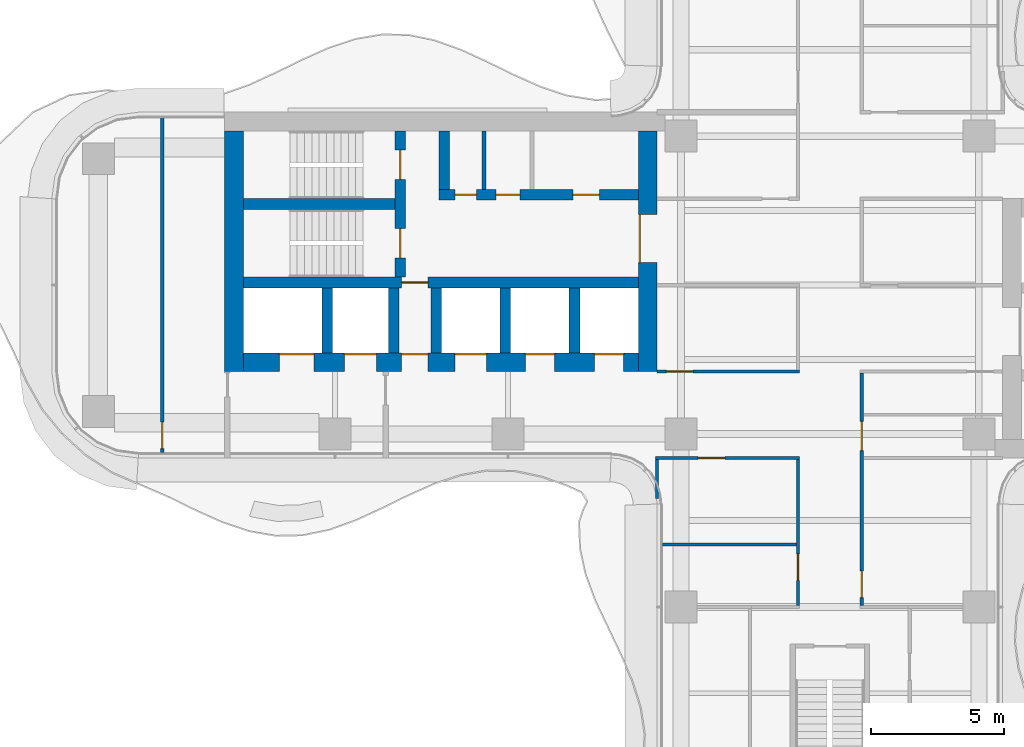
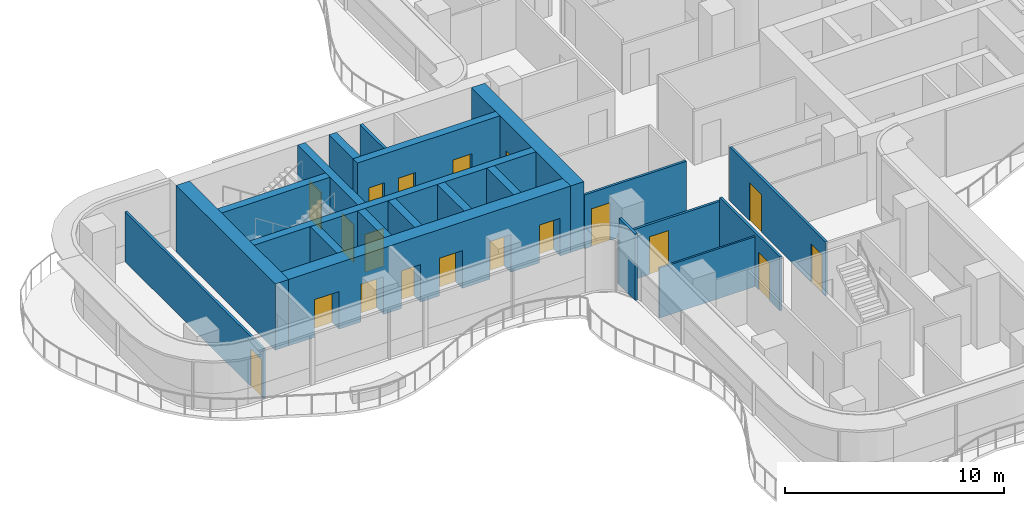
# One storey, part 12 of 17: 21 walls, 19 doors, 19 openings.
"""IFC4 building model written with IfcOpenShell, lengths in metres."""

import ifcopenshell
import ifcopenshell.guid

model = None  # the IFC model being written
_history = None  # IfcOwnerHistory: only IFC2X3 demands one
_inside = {}  # id of a spatial element -> (the spatial element, [elements in it])
_under = {}  # id of a project, library or spatial element -> (it, [spatial elements below it])
_declared = {}  # id of a project -> (the project, [libraries it declares])
_typed = {}  # id of a type object -> (the type object, [elements of that type])
_made_of = {}  # id of a material, layer set ... -> (it, [elements and type objects made of it])


def new_model(schema):
    """Start an empty IFC model of exactly this schema.

    Asked for "IFC4X3", IfcOpenShell would pick the latest addendum, in which some entities
    have other attributes; the version numbers below select the first issue.
    IFC2X3 requires an IfcOwnerHistory on every rooted entity: one is made here for all.
    """
    global model, _history
    if schema == "IFC4X3":
        model = ifcopenshell.file(schema_version=(4, 3, 0, 0))
    else:
        model = ifcopenshell.file(schema=schema)
    _inside.clear()
    _under.clear()
    _declared.clear()
    _typed.clear()
    _made_of.clear()
    _history = None
    if model.schema == "IFC2X3":
        org = make("IfcOrganization", Name="unknown")
        user = make(
            "IfcPersonAndOrganization",
            ThePerson=make("IfcPerson", FamilyName="unknown"),
            TheOrganization=org,
        )
        app = make(
            "IfcApplication",
            ApplicationDeveloper=org,
            Version="unknown",
            ApplicationFullName="unknown",
            ApplicationIdentifier="unknown",
        )
        _history = make(
            "IfcOwnerHistory",
            OwningUser=user,
            OwningApplication=app,
            ChangeAction="ADDED",
            CreationDate=0,
        )
    return model


def make(cls, **values):
    """One entity of the class cls with the attributes given. An attribute that is None is left unset."""
    return model.create_entity(
        cls, **{name: value for name, value in values.items() if value is not None}
    )


def rooted(cls, **values):
    """An entity with a GlobalId (a new one), such as an element, a storey or a relation."""
    return make(cls, GlobalId=ifcopenshell.guid.new(), OwnerHistory=_history, **values)


def si_unit(unit_type, name, prefix=None):
    """IfcSIUnit, for example si_unit("LENGTHUNIT", "METRE", prefix="MILLI")."""
    return make("IfcSIUnit", UnitType=unit_type, Prefix=prefix, Name=name)


def assignment(units):
    """IfcUnitAssignment: the units of a project."""
    return None if units is None else make("IfcUnitAssignment", Units=units)


def point(xyz):
    """IfcCartesianPoint."""
    return None if xyz is None else make("IfcCartesianPoint", Coordinates=xyz)


def direction(xyz):
    """IfcDirection."""
    return None if xyz is None else make("IfcDirection", DirectionRatios=xyz)


def frame(location, z_axis=None, x_axis=None):
    """IfcAxis2Placement3D, a coordinate frame: its origin and axes. An axis left out is left unset."""
    return make(
        "IfcAxis2Placement3D",
        Location=point(location),
        Axis=direction(z_axis),
        RefDirection=direction(x_axis),
    )


def frame_2d(location, x_axis=None):
    """IfcAxis2Placement2D, a coordinate frame in the plane: its origin and x axis."""
    return make(
        "IfcAxis2Placement2D", Location=point(location), RefDirection=direction(x_axis)
    )


def origin():
    """The frame at (0, 0, 0) with its axes left unset."""
    return frame((0.0, 0.0, 0.0))


def place(relative_to, where):
    """IfcLocalPlacement: puts the frame where relative to a parent placement (None: the world)."""
    return make(
        "IfcLocalPlacement", PlacementRelTo=relative_to, RelativePlacement=where
    )


def context(
    kind, dimensions, precision=None, world=None, true_north=None, identifier=None
):
    """IfcGeometricRepresentationContext, for example the 3D "Model" context."""
    return make(
        "IfcGeometricRepresentationContext",
        ContextIdentifier=identifier,
        ContextType=kind,
        CoordinateSpaceDimension=dimensions,
        Precision=precision,
        WorldCoordinateSystem=world,
        TrueNorth=true_north,
    )


def subcontext(parent, identifier, kind, view, scale=None):
    """IfcGeometricRepresentationSubContext, for example "Body" below "Model"."""
    return make(
        "IfcGeometricRepresentationSubContext",
        ContextIdentifier=identifier,
        ContextType=kind,
        ParentContext=parent,
        TargetScale=scale,
        TargetView=view,
    )


def project(units=None, contexts=None):
    """IfcProject with its units and contexts."""
    return rooted(
        "IfcProject",
        Name="project",
        RepresentationContexts=contexts,
        UnitsInContext=assignment(units),
    )


def spatial(cls, under=None, at=None, **own):
    """A site, building, storey or space (cls), placed at a placement, below another one or the project."""
    s = rooted(cls, ObjectPlacement=at, **own)
    if under is not None:
        _under.setdefault(under.id(), (under, []))[1].append(s)
    return s


def profile(cls, at=None, kind="AREA", **sizes):
    """A parametric profile (cls). Its sizes go by their IFC names, for example OverallWidth=200.0."""
    return make(cls, ProfileType=kind, Position=at, **sizes)


def rectangle(**sizes):
    """IfcRectangleProfileDef."""
    return profile("IfcRectangleProfileDef", **sizes)


def extrude(swept, where, along, depth):
    """IfcExtrudedAreaSolid: the profile swept, set in the frame where, extruded along a direction by depth."""
    return make(
        "IfcExtrudedAreaSolid",
        SweptArea=swept,
        Position=where,
        ExtrudedDirection=direction(along),
        Depth=depth,
    )


def shape(context_of_items, identifier, shape_type, items):
    """IfcShapeRepresentation: the items that make up one representation, for example the "Body"."""
    return make(
        "IfcShapeRepresentation",
        ContextOfItems=context_of_items,
        RepresentationIdentifier=identifier,
        RepresentationType=shape_type,
        Items=items,
    )


def source(mapping_origin, context_of_items, identifier, shape_type, items):
    """IfcRepresentationMap: a shape defined once, which mapped items show again and again."""
    return make(
        "IfcRepresentationMap",
        MappingOrigin=mapping_origin,
        MappedRepresentation=shape(context_of_items, identifier, shape_type, items),
    )


def transform(
    local_origin,
    x_axis=None,
    y_axis=None,
    z_axis=None,
    scale=None,
    scale2=None,
    scale3=None,
    uniform=True,
):
    """IfcCartesianTransformationOperator3D, or its non-uniform kind. x_axis, y_axis, z_axis: its Axis1, 2, 3."""
    if uniform:
        return make(
            "IfcCartesianTransformationOperator3D",
            Axis1=direction(x_axis),
            Axis2=direction(y_axis),
            LocalOrigin=point(local_origin),
            Scale=scale,
            Axis3=direction(z_axis),
        )
    return make(
        "IfcCartesianTransformationOperator3DnonUniform",
        Axis1=direction(x_axis),
        Axis2=direction(y_axis),
        LocalOrigin=point(local_origin),
        Scale=scale,
        Axis3=direction(z_axis),
        Scale2=scale2,
        Scale3=scale3,
    )


def mapped(mapping_source, mapping_target):
    """IfcMappedItem: shows the shape of a source again, moved by a transform."""
    return make(
        "IfcMappedItem", MappingSource=mapping_source, MappingTarget=mapping_target
    )


def material(Name=None, Category=None):
    """IfcMaterial."""
    return make("IfcMaterial", Name=Name, Category=Category)


def layer(
    of_material, thickness, ventilated=None, Name=None, Category=None, Priority=None
):
    """IfcMaterialLayer: one layer of a wall or slab, of a material (None: an air gap)."""
    return make(
        "IfcMaterialLayer",
        Material=of_material,
        LayerThickness=thickness,
        IsVentilated=ventilated,
        Name=Name,
        Category=Category,
        Priority=Priority,
    )


def layer_set(layers, Name=None):
    """IfcMaterialLayerSet."""
    return make("IfcMaterialLayerSet", MaterialLayers=layers, LayerSetName=Name)


def made_of(thing, what):
    """Note that an element or type object is made of a material, layer set ...; save() writes the relation."""
    if what is not None:
        _made_of.setdefault(what.id(), (what, []))[1].append(thing)
    return thing


def type_object(cls, material=None, **own):
    """A type object (cls), such as IfcWallType, which elements share."""
    return made_of(rooted(cls, **own), material)


def element(
    cls,
    number,
    at=None,
    inside=None,
    cuts=None,
    type_object=None,
    material=None,
    context=None,
    identifier="Body",
    shape_type=None,
    held_by="IfcProductDefinitionShape",
    body=None,
    shapes=None,
    **own,
):
    """One element of the class cls, such as IfcWall. Its Tag is "e" and its number.

    at: its placement. inside: the storey or other place that contains it. cuts: it is an
    opening in that element (IfcRelVoidsElement). A single representation is given by context,
    identifier, shape_type and body (its items); several are given by shapes. held_by: the class
    of the entity that holds the representations. save() writes the other relations.
    """
    e = rooted(cls, Tag="e%d" % number, ObjectPlacement=at, **own)
    if body is not None:
        shapes = [shape(context, identifier, shape_type, body)]
    if shapes is not None:
        e.Representation = make(held_by, Representations=shapes)
    if inside is not None:
        _inside.setdefault(inside.id(), (inside, []))[1].append(e)
    if cuts is not None:
        rooted(
            "IfcRelVoidsElement", RelatingBuildingElement=cuts, RelatedOpeningElement=e
        )
    if type_object is not None:
        _typed.setdefault(type_object.id(), (type_object, []))[1].append(e)
    return made_of(e, material)


def fill(opening, filler):
    """IfcRelFillsElement: the door or window that sits in an opening."""
    return rooted(
        "IfcRelFillsElement",
        RelatingOpeningElement=opening,
        RelatedBuildingElement=filler,
    )


def aggregate(whole, parts):
    """IfcRelAggregates: a whole, such as a stair, and the parts it consists of."""
    return rooted("IfcRelAggregates", RelatingObject=whole, RelatedObjects=parts)


def save(model, path):
    """Write the relations noted so far, then the file.

    IfcRelAggregates (storeys below a building ...), IfcRelContainedInSpatialStructure (elements
    in a storey), IfcRelDefinesByType, IfcRelAssociatesMaterial and IfcRelDeclares: one each for
    every whole, place, type object, material and project.
    """
    for whole, parts in _under.values():
        aggregate(whole, parts)
    for where, things in _inside.values():
        rooted(
            "IfcRelContainedInSpatialStructure",
            RelatedElements=things,
            RelatingStructure=where,
        )
    for kind, things in _typed.values():
        rooted("IfcRelDefinesByType", RelatedObjects=things, RelatingType=kind)
    for what, things in _made_of.values():
        rooted("IfcRelAssociatesMaterial", RelatedObjects=things, RelatingMaterial=what)
    for by, libraries in _declared.values():
        rooted("IfcRelDeclares", RelatingContext=by, RelatedDefinitions=libraries)
    model.write(path)


model = new_model("IFC4")

# Units and contexts
model_context = context("Model", 3, precision=1e-05, world=origin(), true_north=direction((0.0, 1.0)))
body_context = subcontext(model_context, "Body", "Model", "MODEL_VIEW")
ifc_project = project(units=[si_unit("LENGTHUNIT", "METRE"), si_unit("AREAUNIT", "SQUARE_METRE"), si_unit("VOLUMEUNIT", "CUBIC_METRE"), si_unit("PLANEANGLEUNIT", "RADIAN"), si_unit("MASSUNIT", "GRAM", prefix="KILO")], contexts=[model_context])

# Site, building, storey
site_placement = place(None, origin())
site = spatial("IfcSite", under=ifc_project, at=site_placement, CompositionType="ELEMENT")
building_placement = place(site_placement, origin())
building = spatial("IfcBuilding", under=site, at=building_placement, Name="Trellis Farm Tower", CompositionType="ELEMENT")
storey_placement = place(building_placement, frame((0.0, 0.0, 173.699951171875)))
storey = spatial("IfcBuildingStorey", under=building, at=storey_placement, Name="L37", CompositionType="ELEMENT", Elevation=173.699951171875)

# Wall, opening, door
ifc_material_1 = material(Name="Concrete C70/85", Category="concrete")
ifc_layer_1 = layer(ifc_material_1, 0.699951171875)
ifc_layer_set_1 = layer_set([ifc_layer_1], Name="CORE OUTER WALL 700 CONCRETE C70/85")
wall_type_1 = type_object("IfcWallType", Name="CORE OUTER WALL 700 CONCRETE C70/85", PredefinedType="SHEAR", material=ifc_layer_set_1)
shared_shape_1 = source(origin(), body_context, "Body", "SweptSolid", [
    extrude(rectangle(XDim=9.050048828125, YDim=0.699951171875, at=frame_2d((4.52490234375, 0.0))), origin(), (0.0, 0.0, 1.0), 3.699951171875),
])
wall_1_placement = place(storey_placement, frame((-6.85009765625, 5.800048828125, 0.0), z_axis=(0.0, 0.0, 1.0), x_axis=(0.0, -1.0, 0.0)))
wall_1 = element("IfcWall", 1, at=wall_1_placement, inside=storey, type_object=wall_type_1, Name="Core wall", PredefinedType="SHEAR", context=body_context, shape_type="MappedRepresentation", body=[
    mapped(shared_shape_1, transform((0.0, 0.0, 0.0))),
])
shared_shape_2 = source(origin(), body_context, "Body", "SweptSolid", [
    extrude(rectangle(XDim=1.800048828125, YDim=2.10009765625, at=frame_2d((0.89990234375, 1.050048828125))), frame((0.0, 0.360107421875, 0.0), z_axis=(0.0, -1.0, 0.0), x_axis=(1.0, 0.0, 0.0)), (0.0, 0.0, 1.0), 0.72021484375),
])
opening_1_placement = place(wall_1_placement, frame((3.14990234375, 0.0, 0.0)))
opening_1 = element("IfcOpeningElement", 2, at=opening_1_placement, cuts=wall_1, Name="Opening DC87", PredefinedType="OPENING", context=body_context, shape_type="MappedRepresentation", body=[
    mapped(shared_shape_2, transform((0.0, 0.0, 0.0))),
])
ifc_material_2 = material(Name="Steel", Category="steel")
door_type_1 = type_object("IfcDoorType", Name="CORE FIRE DOOR DOUBLE 1800 X 2100", OperationType="DOUBLE_DOOR_SINGLE_SWING", PredefinedType="DOOR", material=ifc_material_2)
shared_shape_3 = source(origin(), body_context, "Body", "SweptSolid", [
    extrude(rectangle(XDim=1.800048828125, YDim=2.10009765625, at=frame_2d((0.89990234375, 1.050048828125))), frame((0.0, -0.27490234375, 0.0), z_axis=(0.0, -1.0, 0.0), x_axis=(1.0, 0.0, 0.0)), (0.0, 0.0, 1.0), 0.050048828125),
])
door_1_placement = place(opening_1_placement, origin())
door_1 = element("IfcDoor", 3, at=door_1_placement, inside=storey, type_object=door_type_1, Name="Core door", OperationType="DOUBLE_DOOR_SINGLE_SWING", OverallHeight=2.10009765625, OverallWidth=1.800048828125, PredefinedType="DOOR", context=body_context, shape_type="MappedRepresentation", body=[
    mapped(shared_shape_3, transform((0.0, 0.0, 0.0))),
])
fill(opening_1, door_1)

# Walls
wall_2_placement = place(storey_placement, frame((-22.39990234375, 5.800048828125, 0.0), z_axis=(0.0, 0.0, 1.0), x_axis=(0.0, -1.0, 0.0)))
element("IfcWall", 4, at=wall_2_placement, inside=storey, type_object=wall_type_1, Name="Core wall", PredefinedType="SHEAR", context=body_context, shape_type="MappedRepresentation", body=[
    mapped(shared_shape_1, transform((0.0, 0.0, 0.0))),
])
ifc_layer_2 = layer(ifc_material_1, 0.39990234375)
ifc_layer_set_2 = layer_set([ifc_layer_2], Name="CORE INNER WALL 400 CONCRETE C70/85")
wall_type_2 = type_object("IfcWallType", Name="CORE INNER WALL 400 CONCRETE C70/85", PredefinedType="SHEAR", material=ifc_layer_set_2)
shared_shape_4 = source(origin(), body_context, "Body", "SweptSolid", [
    extrude(rectangle(XDim=2.449951171875, YDim=0.39990234375, at=frame_2d((1.22509765625, 0.0))), origin(), (0.0, 0.0, 1.0), 3.699951171875),
])
for number, where, z_axis, x_axis, name in (
    (5, (-9.60009765625, -0.10009765625, 0.0), (0.0, 0.0, 1.0), (0.0, -1.0, 0.0), "Core wall"),
    (6, (-12.199951171875, -0.10009765625, 0.0), (0.0, 0.0, 1.0), (0.0, -1.0, 0.0), "Core wall"),
    (7, (-14.800048828125, -0.10009765625, 0.0), (0.0, 0.0, 1.0), (0.0, -1.0, 0.0), "Core wall"),
    (8, (-16.39990234375, -0.10009765625, 0.0), (0.0, 0.0, 1.0), (0.0, -1.0, 0.0), "Core wall"),
    (9, (-18.89990234375, -0.10009765625, 0.0), (0.0, 0.0, 1.0), (0.0, -1.0, 0.0), "Core wall"),
):
    element("IfcWall", number, at=place(storey_placement, frame(where, z_axis=z_axis, x_axis=x_axis)), inside=storey, type_object=wall_type_2, Name=name, PredefinedType="SHEAR", context=body_context, shape_type="MappedRepresentation", body=[
        mapped(shared_shape_4, transform((0.0, 0.0, 0.0))),
    ])

# Wall, openings, doors
shared_shape_5 = source(origin(), body_context, "Body", "SweptSolid", [
    extrude(rectangle(XDim=14.85009765625, YDim=0.699951171875, at=frame_2d((7.425048828125, 0.0))), origin(), (0.0, 0.0, 1.0), 3.699951171875),
])
wall_3_placement = place(storey_placement, frame((-7.199951171875, -2.89990234375, 0.0), z_axis=(0.0, 0.0, 1.0), x_axis=(-1.0, 0.0, 0.0)))
wall_3 = element("IfcWall", 10, at=wall_3_placement, inside=storey, type_object=wall_type_1, Name="Core wall", PredefinedType="SHEAR", context=body_context, shape_type="MappedRepresentation", body=[
    mapped(shared_shape_5, transform((0.0, 0.0, 0.0))),
])
shared_shape_6 = source(origin(), body_context, "Body", "SweptSolid", [
    extrude(rectangle(XDim=1.10009765625, YDim=2.10009765625, at=frame_2d((0.550048828125, 1.050048828125))), frame((0.0, 0.360107421875, 0.0), z_axis=(0.0, -1.0, 0.0), x_axis=(1.0, 0.0, 0.0)), (0.0, 0.0, 1.0), 0.72021484375),
])
opening_2_placement = place(wall_3_placement, frame((0.550048828125, 0.0, 0.0)))
opening_2 = element("IfcOpeningElement", 11, at=opening_2_placement, cuts=wall_3, Name="Opening LD12", PredefinedType="OPENING", context=body_context, shape_type="MappedRepresentation", body=[
    mapped(shared_shape_6, transform((0.0, 0.0, 0.0))),
])
opening_3_placement = place(wall_3_placement, frame((3.14990234375, 0.0, 0.0)))
opening_3 = element("IfcOpeningElement", 12, at=opening_3_placement, cuts=wall_3, Name="Opening LD13", PredefinedType="OPENING", context=body_context, shape_type="MappedRepresentation", body=[
    mapped(shared_shape_6, transform((0.0, 0.0, 0.0))),
])
shared_shape_7 = source(origin(), body_context, "Body", "SweptSolid", [
    extrude(rectangle(XDim=1.199951171875, YDim=2.10009765625, at=frame_2d((0.60009765625, 1.050048828125))), frame((0.0, 0.360107421875, 0.0), z_axis=(0.0, -1.0, 0.0), x_axis=(1.0, 0.0, 0.0)), (0.0, 0.0, 1.0), 0.72021484375),
])
opening_4_placement = place(wall_3_placement, frame((5.699951171875, 0.0, 0.0)))
opening_4 = element("IfcOpeningElement", 13, at=opening_4_placement, cuts=wall_3, Name="Opening LD14", PredefinedType="OPENING", context=body_context, shape_type="MappedRepresentation", body=[
    mapped(shared_shape_7, transform((0.0, 0.0, 0.0))),
])
shared_shape_8 = source(origin(), body_context, "Body", "SweptSolid", [
    extrude(rectangle(XDim=1.300048828125, YDim=2.10009765625, at=frame_2d((0.64990234375, 1.050048828125))), frame((0.0, 0.360107421875, 0.0), z_axis=(0.0, -1.0, 0.0), x_axis=(1.0, 0.0, 0.0)), (0.0, 0.0, 1.0), 0.72021484375),
])
opening_5_placement = place(wall_3_placement, frame((12.199951171875, 0.0, 0.0)))
opening_5 = element("IfcOpeningElement", 14, at=opening_5_placement, cuts=wall_3, Name="Opening LD15", PredefinedType="OPENING", context=body_context, shape_type="MappedRepresentation", body=[
    mapped(shared_shape_8, transform((0.0, 0.0, 0.0))),
])
opening_6_placement = place(wall_3_placement, frame((9.85009765625, 0.0, 0.0)))
opening_6 = element("IfcOpeningElement", 15, at=opening_6_placement, cuts=wall_3, Name="Opening LD16", PredefinedType="OPENING", context=body_context, shape_type="MappedRepresentation", body=[
    mapped(shared_shape_7, transform((0.0, 0.0, 0.0))),
])
shared_shape_9 = source(origin(), body_context, "Body", "SweptSolid", [
    extrude(rectangle(XDim=1.0, YDim=2.10009765625, at=frame_2d((0.5, 1.050048828125))), frame((0.0, 0.360107421875, 0.0), z_axis=(0.0, -1.0, 0.0), x_axis=(1.0, 0.0, 0.0)), (0.0, 0.0, 1.0), 0.72021484375),
])
opening_7_placement = place(wall_3_placement, frame((7.89990234375, 0.0, 0.0)))
opening_7 = element("IfcOpeningElement", 16, at=opening_7_placement, cuts=wall_3, Name="Opening DC92", PredefinedType="OPENING", context=body_context, shape_type="MappedRepresentation", body=[
    mapped(shared_shape_9, transform((0.0, 0.0, 0.0))),
])
door_type_2 = type_object("IfcDoorType", Name="CORE FIRE DOOR 1000 X 2100", OperationType="NOTDEFINED", PredefinedType="DOOR", material=ifc_material_2)
shared_shape_10 = source(origin(), body_context, "Body", "SweptSolid", [
    extrude(rectangle(XDim=1.0, YDim=2.10009765625, at=frame_2d((0.5, 1.050048828125))), frame((0.0, -0.27490234375, 0.0), z_axis=(0.0, -1.0, 0.0), x_axis=(1.0, 0.0, 0.0)), (0.0, 0.0, 1.0), 0.050048828125),
])
door_2_placement = place(opening_7_placement, origin())
door_2 = element("IfcDoor", 17, at=door_2_placement, inside=storey, type_object=door_type_2, Name="Core door", OperationType="SINGLE_SWING_LEFT", OverallHeight=2.10009765625, OverallWidth=1.0, PredefinedType="DOOR", context=body_context, shape_type="MappedRepresentation", body=[
    mapped(shared_shape_10, transform((0.0, 0.0, 0.0))),
])
fill(opening_7, door_2)
ifc_material_3 = material(Name="Stainless steel", Category="steel")
door_type_3 = type_object("IfcDoorType", Name="LIFT LANDING DOOR 1300 X 2100", OperationType="DOUBLE_DOOR_SLIDING", PredefinedType="DOOR", material=ifc_material_3)
shared_shape_11 = source(origin(), body_context, "Body", "SweptSolid", [
    extrude(rectangle(XDim=1.300048828125, YDim=2.10009765625, at=frame_2d((0.64990234375, 1.050048828125))), frame((0.0, -0.27490234375, 0.0), z_axis=(0.0, -1.0, 0.0), x_axis=(1.0, 0.0, 0.0)), (0.0, 0.0, 1.0), 0.050048828125),
])
door_3_placement = place(opening_5_placement, origin())
door_3 = element("IfcDoor", 18, at=door_3_placement, inside=storey, type_object=door_type_3, Name="Lift landing door", OperationType="DOUBLE_DOOR_SLIDING", OverallHeight=2.10009765625, OverallWidth=1.300048828125, PredefinedType="DOOR", context=body_context, shape_type="MappedRepresentation", body=[
    mapped(shared_shape_11, transform((0.0, 0.0, 0.0))),
])
fill(opening_5, door_3)
door_type_4 = type_object("IfcDoorType", Name="LIFT LANDING DOOR 1200 X 2100", OperationType="DOUBLE_DOOR_SLIDING", PredefinedType="DOOR", material=ifc_material_3)
shared_shape_12 = source(origin(), body_context, "Body", "SweptSolid", [
    extrude(rectangle(XDim=1.199951171875, YDim=2.10009765625, at=frame_2d((0.60009765625, 1.050048828125))), frame((0.0, -0.27490234375, 0.0), z_axis=(0.0, -1.0, 0.0), x_axis=(1.0, 0.0, 0.0)), (0.0, 0.0, 1.0), 0.050048828125),
])
door_4_placement = place(opening_4_placement, origin())
door_4 = element("IfcDoor", 19, at=door_4_placement, inside=storey, type_object=door_type_4, Name="Lift landing door", OperationType="DOUBLE_DOOR_SLIDING", OverallHeight=2.10009765625, OverallWidth=1.199951171875, PredefinedType="DOOR", context=body_context, shape_type="MappedRepresentation", body=[
    mapped(shared_shape_12, transform((0.0, 0.0, 0.0))),
])
fill(opening_4, door_4)
door_5_placement = place(opening_6_placement, origin())
door_5 = element("IfcDoor", 20, at=door_5_placement, inside=storey, type_object=door_type_4, Name="Lift landing door", OperationType="DOUBLE_DOOR_SLIDING", OverallHeight=2.10009765625, OverallWidth=1.199951171875, PredefinedType="DOOR", context=body_context, shape_type="MappedRepresentation", body=[
    mapped(shared_shape_12, transform((0.0, 0.0, 0.0))),
])
fill(opening_6, door_5)
door_type_5 = type_object("IfcDoorType", Name="LIFT LANDING DOOR 1100 X 2100", OperationType="DOUBLE_DOOR_SLIDING", PredefinedType="DOOR", material=ifc_material_3)
shared_shape_13 = source(origin(), body_context, "Body", "SweptSolid", [
    extrude(rectangle(XDim=1.10009765625, YDim=2.10009765625, at=frame_2d((0.550048828125, 1.050048828125))), frame((0.0, -0.27490234375, 0.0), z_axis=(0.0, -1.0, 0.0), x_axis=(1.0, 0.0, 0.0)), (0.0, 0.0, 1.0), 0.050048828125),
])
door_6_placement = place(opening_2_placement, origin())
door_6 = element("IfcDoor", 21, at=door_6_placement, inside=storey, type_object=door_type_5, Name="Lift landing door", OperationType="DOUBLE_DOOR_SLIDING", OverallHeight=2.10009765625, OverallWidth=1.10009765625, PredefinedType="DOOR", context=body_context, shape_type="MappedRepresentation", body=[
    mapped(shared_shape_13, transform((0.0, 0.0, 0.0))),
])
fill(opening_2, door_6)
door_7_placement = place(opening_3_placement, origin())
door_7 = element("IfcDoor", 22, at=door_7_placement, inside=storey, type_object=door_type_5, Name="Lift landing door", OperationType="DOUBLE_DOOR_SLIDING", OverallHeight=2.10009765625, OverallWidth=1.10009765625, PredefinedType="DOOR", context=body_context, shape_type="MappedRepresentation", body=[
    mapped(shared_shape_13, transform((0.0, 0.0, 0.0))),
])
fill(opening_3, door_7)

shared_shape_14 = source(origin(), body_context, "Body", "SweptSolid", [
    extrude(rectangle(XDim=7.5, YDim=0.39990234375, at=frame_2d((3.75, 0.0))), origin(), (0.0, 0.0, 1.0), 3.699951171875),
])
wall_4_placement = place(storey_placement, frame((-7.199951171875, 3.39990234375, 0.0), z_axis=(0.0, 0.0, 1.0), x_axis=(-1.0, 0.0, 0.0)))
wall_4 = element("IfcWall", 23, at=wall_4_placement, inside=storey, type_object=wall_type_2, Name="Core wall", PredefinedType="SHEAR", context=body_context, shape_type="MappedRepresentation", body=[
    mapped(shared_shape_14, transform((0.0, 0.0, 0.0))),
])
shared_shape_15 = source(origin(), body_context, "Body", "SweptSolid", [
    extrude(rectangle(XDim=1.0, YDim=2.10009765625, at=frame_2d((0.5, 1.050048828125))), frame((0.0, 0.2099609375, 0.0), z_axis=(0.0, -1.0, 0.0), x_axis=(1.0, 0.0, 0.0)), (0.0, 0.0, 1.0), 0.419921875),
])
opening_8_placement = place(wall_4_placement, frame((1.46240234375, 0.0, 0.0)))
opening_8 = element("IfcOpeningElement", 24, at=opening_8_placement, cuts=wall_4, Name="Opening DC141", PredefinedType="OPENING", context=body_context, shape_type="MappedRepresentation", body=[
    mapped(shared_shape_15, transform((0.0, 0.0, 0.0))),
])
shared_shape_16 = source(origin(), body_context, "Body", "SweptSolid", [
    extrude(rectangle(XDim=0.89990234375, YDim=2.10009765625, at=frame_2d((0.449951171875, 1.050048828125))), frame((0.0, 0.2099609375, 0.0), z_axis=(0.0, -1.0, 0.0), x_axis=(1.0, 0.0, 0.0)), (0.0, 0.0, 1.0), 0.419921875),
])
opening_9_placement = place(wall_4_placement, frame((4.449951171875, 0.0, 0.0)))
opening_9 = element("IfcOpeningElement", 25, at=opening_9_placement, cuts=wall_4, Name="Opening DC146", PredefinedType="OPENING", context=body_context, shape_type="MappedRepresentation", body=[
    mapped(shared_shape_16, transform((0.0, 0.0, 0.0))),
])
shared_shape_17 = source(origin(), body_context, "Body", "SweptSolid", [
    extrude(rectangle(XDim=0.800048828125, YDim=2.10009765625, at=frame_2d((0.39990234375, 1.050048828125))), frame((0.0, 0.2099609375, 0.0), z_axis=(0.0, -1.0, 0.0), x_axis=(1.0, 0.0, 0.0)), (0.0, 0.0, 1.0), 0.419921875),
])
opening_10_placement = place(wall_4_placement, frame((6.08740234375, 0.0, 0.0)))
opening_10 = element("IfcOpeningElement", 26, at=opening_10_placement, cuts=wall_4, Name="Opening DC149", PredefinedType="OPENING", context=body_context, shape_type="MappedRepresentation", body=[
    mapped(shared_shape_17, transform((0.0, 0.0, 0.0))),
])
shared_shape_18 = source(origin(), body_context, "Body", "SweptSolid", [
    extrude(rectangle(XDim=1.0, YDim=2.10009765625, at=frame_2d((0.5, 1.050048828125))), frame((0.0, 0.02490234375, 0.0), z_axis=(0.0, -1.0, 0.0), x_axis=(1.0, 0.0, 0.0)), (0.0, 0.0, 1.0), 0.050048828125),
])
door_8_placement = place(opening_8_placement, origin())
door_8 = element("IfcDoor", 27, at=door_8_placement, inside=storey, type_object=door_type_2, Name="Core door", OperationType="SINGLE_SWING_LEFT", OverallHeight=2.10009765625, OverallWidth=1.0, PredefinedType="DOOR", context=body_context, shape_type="MappedRepresentation", body=[
    mapped(shared_shape_18, transform((0.0, 0.0, 0.0))),
])
fill(opening_8, door_8)
door_type_6 = type_object("IfcDoorType", Name="CORE FIRE DOOR 900 X 2100", OperationType="NOTDEFINED", PredefinedType="DOOR", material=ifc_material_2)
shared_shape_19 = source(origin(), body_context, "Body", "SweptSolid", [
    extrude(rectangle(XDim=0.89990234375, YDim=2.10009765625, at=frame_2d((0.449951171875, 1.050048828125))), frame((0.0, 0.02490234375, 0.0), z_axis=(0.0, -1.0, 0.0), x_axis=(1.0, 0.0, 0.0)), (0.0, 0.0, 1.0), 0.050048828125),
])
door_9_placement = place(opening_9_placement, origin())
door_9 = element("IfcDoor", 28, at=door_9_placement, inside=storey, type_object=door_type_6, Name="Core door", OperationType="SINGLE_SWING_RIGHT", OverallHeight=2.10009765625, OverallWidth=0.89990234375, PredefinedType="DOOR", context=body_context, shape_type="MappedRepresentation", body=[
    mapped(shared_shape_19, transform((0.0, 0.0, 0.0))),
])
fill(opening_9, door_9)
door_type_7 = type_object("IfcDoorType", Name="CORE FIRE DOOR 800 X 2100", OperationType="NOTDEFINED", PredefinedType="DOOR", material=ifc_material_2)
shared_shape_20 = source(origin(), body_context, "Body", "SweptSolid", [
    extrude(rectangle(XDim=0.800048828125, YDim=2.10009765625, at=frame_2d((0.39990234375, 1.050048828125))), frame((0.0, 0.02490234375, 0.0), z_axis=(0.0, -1.0, 0.0), x_axis=(1.0, 0.0, 0.0)), (0.0, 0.0, 1.0), 0.050048828125),
])
door_10_placement = place(opening_10_placement, origin())
door_10 = element("IfcDoor", 29, at=door_10_placement, inside=storey, type_object=door_type_7, Name="Core door", OperationType="SINGLE_SWING_LEFT", OverallHeight=2.10009765625, OverallWidth=0.800048828125, PredefinedType="DOOR", context=body_context, shape_type="MappedRepresentation", body=[
    mapped(shared_shape_20, transform((0.0, 0.0, 0.0))),
])
fill(opening_10, door_10)

# Wall, opening, door
shared_shape_21 = source(origin(), body_context, "Body", "SweptSolid", [
    extrude(rectangle(XDim=14.85009765625, YDim=0.39990234375, at=frame_2d((7.425048828125, 0.0))), origin(), (0.0, 0.0, 1.0), 3.699951171875),
])
wall_5_placement = place(storey_placement, frame((-7.199951171875, 0.10009765625, 0.0), z_axis=(0.0, 0.0, 1.0), x_axis=(-1.0, 0.0, 0.0)))
wall_5 = element("IfcWall", 30, at=wall_5_placement, inside=storey, type_object=wall_type_2, Name="Core wall", PredefinedType="SHEAR", context=body_context, shape_type="MappedRepresentation", body=[
    mapped(shared_shape_21, transform((0.0, 0.0, 0.0))),
])
opening_11_placement = place(wall_5_placement, frame((7.89990234375, 0.0, 0.0)))
opening_11 = element("IfcOpeningElement", 31, at=opening_11_placement, cuts=wall_5, Name="Opening DC91", PredefinedType="OPENING", context=body_context, shape_type="MappedRepresentation", body=[
    mapped(shared_shape_15, transform((0.0, 0.0, 0.0))),
])
door_11_placement = place(opening_11_placement, origin())
door_11 = element("IfcDoor", 32, at=door_11_placement, inside=storey, type_object=door_type_2, Name="Core door", OperationType="SINGLE_SWING_RIGHT", OverallHeight=2.10009765625, OverallWidth=1.0, PredefinedType="DOOR", context=body_context, shape_type="MappedRepresentation", body=[
    mapped(shared_shape_18, transform((0.0, 0.0, 0.0))),
])
fill(opening_11, door_11)

# Wall, openings, doors
shared_shape_22 = source(origin(), body_context, "Body", "SweptSolid", [
    extrude(rectangle(XDim=5.5, YDim=0.39990234375, at=frame_2d((2.75, 0.0))), origin(), (0.0, 0.0, 1.0), 3.699951171875),
])
wall_6_placement = place(storey_placement, frame((-16.14990234375, 5.800048828125, 0.0), z_axis=(0.0, 0.0, 1.0), x_axis=(0.0, -1.0, 0.0)))
wall_6 = element("IfcWall", 33, at=wall_6_placement, inside=storey, type_object=wall_type_2, Name="Core wall", PredefinedType="SHEAR", context=body_context, shape_type="MappedRepresentation", body=[
    mapped(shared_shape_22, transform((0.0, 0.0, 0.0))),
])
shared_shape_23 = source(origin(), body_context, "Body", "SweptSolid", [
    extrude(rectangle(XDim=1.10009765625, YDim=2.10009765625, at=frame_2d((0.550048828125, 1.050048828125))), frame((0.0, 0.2099609375, 0.0), z_axis=(0.0, -1.0, 0.0), x_axis=(1.0, 0.0, 0.0)), (0.0, 0.0, 1.0), 0.419921875),
])
opening_12_placement = place(wall_6_placement, frame((0.72509765625, 0.0, 0.0)))
opening_12 = element("IfcOpeningElement", 34, at=opening_12_placement, cuts=wall_6, Name="Opening DC88", PredefinedType="OPENING", context=body_context, shape_type="MappedRepresentation", body=[
    mapped(shared_shape_23, transform((0.0, 0.0, 0.0))),
])
opening_13_placement = place(wall_6_placement, frame((3.675048828125, 0.0, 0.0)))
opening_13 = element("IfcOpeningElement", 35, at=opening_13_placement, cuts=wall_6, Name="Opening DC89", PredefinedType="OPENING", context=body_context, shape_type="MappedRepresentation", body=[
    mapped(shared_shape_23, transform((0.0, 0.0, 0.0))),
])
door_type_8 = type_object("IfcDoorType", Name="CORE FIRE DOOR 1100 X 2100", OperationType="NOTDEFINED", PredefinedType="DOOR", material=ifc_material_2)
shared_shape_24 = source(origin(), body_context, "Body", "SweptSolid", [
    extrude(rectangle(XDim=1.10009765625, YDim=2.10009765625, at=frame_2d((0.550048828125, 1.050048828125))), frame((0.0, 0.02490234375, 0.0), z_axis=(0.0, -1.0, 0.0), x_axis=(1.0, 0.0, 0.0)), (0.0, 0.0, 1.0), 0.050048828125),
])
door_12_placement = place(opening_12_placement, origin())
door_12 = element("IfcDoor", 36, at=door_12_placement, inside=storey, type_object=door_type_8, Name="Core door", OperationType="SINGLE_SWING_RIGHT", OverallHeight=2.10009765625, OverallWidth=1.10009765625, PredefinedType="DOOR", context=body_context, shape_type="MappedRepresentation", body=[
    mapped(shared_shape_24, transform((0.0, 0.0, 0.0))),
])
fill(opening_12, door_12)
door_13_placement = place(opening_13_placement, origin())
door_13 = element("IfcDoor", 37, at=door_13_placement, inside=storey, type_object=door_type_8, Name="Core door", OperationType="SINGLE_SWING_LEFT", OverallHeight=2.10009765625, OverallWidth=1.10009765625, PredefinedType="DOOR", context=body_context, shape_type="MappedRepresentation", body=[
    mapped(shared_shape_24, transform((0.0, 0.0, 0.0))),
])
fill(opening_13, door_13)

# Walls
shared_shape_25 = source(origin(), body_context, "Body", "SweptSolid", [
    extrude(rectangle(XDim=5.699951171875, YDim=0.39990234375, at=frame_2d((2.85009765625, 0.0))), origin(), (0.0, 0.0, 1.0), 3.699951171875),
])
wall_7_placement = place(storey_placement, frame((-16.35009765625, 3.050048828125, 0.0), z_axis=(0.0, 0.0, 1.0), x_axis=(-1.0, 0.0, 0.0)))
element("IfcWall", 38, at=wall_7_placement, inside=storey, type_object=wall_type_2, Name="Core wall", PredefinedType="SHEAR", context=body_context, shape_type="MappedRepresentation", body=[
    mapped(shared_shape_25, transform((0.0, 0.0, 0.0))),
])
shared_shape_26 = source(origin(), body_context, "Body", "SweptSolid", [
    extrude(rectangle(XDim=2.199951171875, YDim=0.39990234375, at=frame_2d((1.10009765625, 0.0))), origin(), (0.0, 0.0, 1.0), 3.699951171875),
])
wall_8_placement = place(storey_placement, frame((-14.5, 5.800048828125, 0.0), z_axis=(0.0, 0.0, 1.0), x_axis=(0.0, -1.0, 0.0)))
element("IfcWall", 39, at=wall_8_placement, inside=storey, type_object=wall_type_2, Name="Core wall", PredefinedType="SHEAR", context=body_context, shape_type="MappedRepresentation", body=[
    mapped(shared_shape_26, transform((0.0, 0.0, 0.0))),
])
ifc_material_4 = material(Name="Masonry blockwork", Category="masonry")
ifc_layer_3 = layer(ifc_material_4, 0.14990234375)
ifc_layer_set_3 = layer_set([ifc_layer_3], Name="CORE PARTITION 150 BLOCKWORK")
wall_type_3 = type_object("IfcWallType", Name="CORE PARTITION 150 BLOCKWORK", PredefinedType="PARTITIONING", material=ifc_layer_set_3)
shared_shape_27 = source(origin(), body_context, "Body", "SweptSolid", [
    extrude(rectangle(XDim=2.199951171875, YDim=0.14990234375, at=frame_2d((1.10009765625, 0.0))), origin(), (0.0, 0.0, 1.0), 3.699951171875),
])
wall_9_placement = place(storey_placement, frame((-13.0, 5.800048828125, 0.0), z_axis=(0.0, 0.0, 1.0), x_axis=(0.0, -1.0, 0.0)))
element("IfcWall", 40, at=wall_9_placement, inside=storey, type_object=wall_type_3, Name="Core room partition", PredefinedType="PARTITIONING", context=body_context, shape_type="MappedRepresentation", body=[
    mapped(shared_shape_27, transform((0.0, 0.0, 0.0))),
])

# Wall, opening, door
ifc_material_5 = material(Name="Plasterboard on steel studs, mineral wool", Category="steel")
ifc_layer_4 = layer(ifc_material_5, 0.125)
ifc_layer_set_4 = layer_set([ifc_layer_4], Name="PARTITION 125 STUD EI 60")
wall_type_4 = type_object("IfcWallType", Name="PARTITION 125 STUD EI 60", PredefinedType="PARTITIONING", material=ifc_layer_set_4)
shared_shape_28 = source(origin(), body_context, "Body", "SweptSolid", [
    extrude(rectangle(XDim=5.47509765625, YDim=0.125, at=frame_2d((2.737548828125, 0.0))), origin(), (0.0, 0.0, 1.0), 2.99658203125),
])
wall_10_placement = place(storey_placement, frame((-1.199951171875, -6.5625, 0.0), z_axis=(0.0, 0.0, 1.0), x_axis=(0.0, -1.0, 0.0)))
wall_10 = element("IfcWall", 41, at=wall_10_placement, inside=storey, type_object=wall_type_4, Name="Partition PW1", PredefinedType="PARTITIONING", context=body_context, shape_type="MappedRepresentation", body=[
    mapped(shared_shape_28, transform((0.0, 0.0, 0.0))),
])
shared_shape_29 = source(origin(), body_context, "Body", "SweptSolid", [
    extrude(rectangle(XDim=1.0, YDim=2.10009765625, at=frame_2d((0.5, 1.050048828125))), frame((0.0, 0.072509765625, 0.0), z_axis=(0.0, -1.0, 0.0), x_axis=(1.0, 0.0, 0.0)), (0.0, 0.0, 1.0), 0.14501953125),
])
opening_14_placement = place(wall_10_placement, frame((3.53759765625, 0.0, 0.0)))
opening_14 = element("IfcOpeningElement", 42, at=opening_14_placement, cuts=wall_10, Name="Opening D105", PredefinedType="OPENING", context=body_context, shape_type="MappedRepresentation", body=[
    mapped(shared_shape_29, transform((0.0, 0.0, 0.0))),
])
ifc_material_6 = material(Name="Fire-rated timber door leaf in a hollow metal frame", Category="wood")
door_type_9 = type_object("IfcDoorType", Name="DOOR 1000x2100 FD30S", OperationType="NOTDEFINED", PredefinedType="DOOR", material=ifc_material_6)
door_14_placement = place(opening_14_placement, origin())
door_14 = element("IfcDoor", 43, at=door_14_placement, inside=storey, type_object=door_type_9, Name="Door D105", OperationType="SINGLE_SWING_LEFT", OverallHeight=2.10009765625, OverallWidth=1.0, PredefinedType="DOOR", context=body_context, shape_type="MappedRepresentation", body=[
    mapped(shared_shape_18, transform((0.0, 0.0, 0.0))),
])
fill(opening_14, door_14)

# Wall
shared_shape_30 = source(origin(), body_context, "Body", "SweptSolid", [
    extrude(rectangle(XDim=1.468994140625, YDim=0.125, at=frame_2d((0.734375, 0.0))), origin(), (0.0, 0.0, 1.0), 3.699951171875),
])
wall_11_placement = place(storey_placement, frame((-6.5, -6.5625, 0.0), z_axis=(0.0, 0.0, 1.0), x_axis=(0.0, -1.0, 0.0)))
element("IfcWall", 44, at=wall_11_placement, inside=storey, type_object=wall_type_4, Name="Partition PW1", PredefinedType="PARTITIONING", context=body_context, shape_type="MappedRepresentation", body=[
    mapped(shared_shape_30, transform((0.0, 0.0, 0.0))),
])

# Wall, opening, door
shared_shape_31 = source(origin(), body_context, "Body", "SweptSolid", [
    extrude(rectangle(XDim=12.60009765625, YDim=0.125, at=frame_2d((6.300048828125, 0.0))), origin(), (0.0, 0.0, 1.0), 2.780029296875),
])
wall_12_placement = place(storey_placement, frame((-25.10009765625, -6.300048828125, 0.0), z_axis=(0.0, 0.0, 1.0), x_axis=(0.0, 1.0, 0.0)))
wall_12 = element("IfcWall", 45, at=wall_12_placement, inside=storey, type_object=wall_type_4, Name="Partition PW1", PredefinedType="PARTITIONING", context=body_context, shape_type="MappedRepresentation", body=[
    mapped(shared_shape_31, transform((0.0, 0.0, 0.0))),
])
opening_15_placement = place(wall_12_placement, frame((0.14990234375, 0.0, 0.0)))
opening_15 = element("IfcOpeningElement", 46, at=opening_15_placement, cuts=wall_12, Name="Opening D107", PredefinedType="OPENING", context=body_context, shape_type="MappedRepresentation", body=[
    mapped(shared_shape_29, transform((0.0, 0.0, 0.0))),
])
door_15_placement = place(opening_15_placement, origin())
door_15 = element("IfcDoor", 47, at=door_15_placement, inside=storey, type_object=door_type_9, Name="Door D107", OperationType="SINGLE_SWING_LEFT", OverallHeight=2.10009765625, OverallWidth=1.0, PredefinedType="DOOR", context=body_context, shape_type="MappedRepresentation", body=[
    mapped(shared_shape_18, transform((0.0, 0.0, 0.0))),
])
fill(opening_15, door_15)

shared_shape_32 = source(origin(), body_context, "Body", "SweptSolid", [
    extrude(rectangle(XDim=5.362548828125, YDim=0.125, at=frame_2d((2.68115234375, 0.0))), origin(), (0.0, 0.0, 1.0), 2.99658203125),
])
wall_13_placement = place(storey_placement, frame((-1.137451171875, -3.25, 0.0), z_axis=(0.0, 0.0, 1.0), x_axis=(-1.0, 0.0, 0.0)))
wall_13 = element("IfcWall", 48, at=wall_13_placement, inside=storey, type_object=wall_type_4, Name="Partition PW1", PredefinedType="PARTITIONING", context=body_context, shape_type="MappedRepresentation", body=[
    mapped(shared_shape_32, transform((0.0, 0.0, 0.0))),
])
opening_16_placement = place(wall_13_placement, frame((4.012451171875, 0.0, 0.0)))
opening_16 = element("IfcOpeningElement", 49, at=opening_16_placement, cuts=wall_13, Name="Opening D109", PredefinedType="OPENING", context=body_context, shape_type="MappedRepresentation", body=[
    mapped(shared_shape_29, transform((0.0, 0.0, 0.0))),
])
door_16_placement = place(opening_16_placement, origin())
door_16 = element("IfcDoor", 50, at=door_16_placement, inside=storey, type_object=door_type_9, Name="Door D109", OperationType="SINGLE_SWING_RIGHT", OverallHeight=2.10009765625, OverallWidth=1.0, PredefinedType="DOOR", context=body_context, shape_type="MappedRepresentation", body=[
    mapped(shared_shape_18, transform((0.0, 0.0, 0.0))),
])
fill(opening_16, door_16)

# Wall, openings, doors
shared_shape_33 = source(origin(), body_context, "Body", "SweptSolid", [
    extrude(rectangle(XDim=8.72509765625, YDim=0.125, at=frame_2d((4.362548828125, 0.0))), origin(), (0.0, 0.0, 1.0), 2.99658203125),
])
wall_14_placement = place(storey_placement, frame((1.199951171875, -3.3125, 0.0), z_axis=(0.0, 0.0, 1.0), x_axis=(0.0, -1.0, 0.0)))
wall_14 = element("IfcWall", 51, at=wall_14_placement, inside=storey, type_object=wall_type_4, Name="Partition PW1", PredefinedType="PARTITIONING", context=body_context, shape_type="MappedRepresentation", body=[
    mapped(shared_shape_33, transform((0.0, 0.0, 0.0))),
])
opening_17_placement = place(wall_14_placement, frame((7.4375, 0.0, 0.0)))
opening_17 = element("IfcOpeningElement", 52, at=opening_17_placement, cuts=wall_14, Name="Opening D104", PredefinedType="OPENING", context=body_context, shape_type="MappedRepresentation", body=[
    mapped(shared_shape_29, transform((0.0, 0.0, 0.0))),
])
shared_shape_34 = source(origin(), body_context, "Body", "SweptSolid", [
    extrude(rectangle(XDim=1.10009765625, YDim=2.10009765625, at=frame_2d((0.550048828125, 1.050048828125))), frame((0.0, 0.072509765625, 0.0), z_axis=(0.0, -1.0, 0.0), x_axis=(1.0, 0.0, 0.0)), (0.0, 0.0, 1.0), 0.14501953125),
])
opening_18_placement = place(wall_14_placement, frame((1.8125, 0.0, 0.0)))
opening_18 = element("IfcOpeningElement", 53, at=opening_18_placement, cuts=wall_14, Name="Opening D501", PredefinedType="OPENING", context=body_context, shape_type="MappedRepresentation", body=[
    mapped(shared_shape_34, transform((0.0, 0.0, 0.0))),
])
door_type_10 = type_object("IfcDoorType", Name="DOOR 1100x2100 FD30S", OperationType="NOTDEFINED", PredefinedType="DOOR", material=ifc_material_6)
door_17_placement = place(opening_18_placement, origin())
door_17 = element("IfcDoor", 54, at=door_17_placement, inside=storey, type_object=door_type_10, Name="Door D501", OperationType="SINGLE_SWING_LEFT", OverallHeight=2.10009765625, OverallWidth=1.10009765625, PredefinedType="DOOR", context=body_context, shape_type="MappedRepresentation", body=[
    mapped(shared_shape_24, transform((0.0, 0.0, 0.0))),
])
fill(opening_18, door_17)
door_18_placement = place(opening_17_placement, origin())
door_18 = element("IfcDoor", 55, at=door_18_placement, inside=storey, type_object=door_type_9, Name="Door D104", OperationType="SINGLE_SWING_RIGHT", OverallHeight=2.10009765625, OverallWidth=1.0, PredefinedType="DOOR", context=body_context, shape_type="MappedRepresentation", body=[
    mapped(shared_shape_18, transform((0.0, 0.0, 0.0))),
])
fill(opening_17, door_18)

# Wall, opening, door
shared_shape_35 = source(origin(), body_context, "Body", "SweptSolid", [
    extrude(rectangle(XDim=5.425048828125, YDim=0.125, at=frame_2d((2.71240234375, 0.0))), origin(), (0.0, 0.0, 1.0), 2.780029296875),
])
wall_15_placement = place(storey_placement, frame((-1.137451171875, -6.5, 0.0), z_axis=(0.0, 0.0, 1.0), x_axis=(-1.0, 0.0, 0.0)))
wall_15 = element("IfcWall", 56, at=wall_15_placement, inside=storey, type_object=wall_type_4, Name="Partition PW1", PredefinedType="PARTITIONING", context=body_context, shape_type="MappedRepresentation", body=[
    mapped(shared_shape_35, transform((0.0, 0.0, 0.0))),
])
opening_19_placement = place(wall_15_placement, frame((2.8125, 0.0, 0.0)))
opening_19 = element("IfcOpeningElement", 57, at=opening_19_placement, cuts=wall_15, Name="Opening D106", PredefinedType="OPENING", context=body_context, shape_type="MappedRepresentation", body=[
    mapped(shared_shape_29, transform((0.0, 0.0, 0.0))),
])
door_19_placement = place(opening_19_placement, origin())
door_19 = element("IfcDoor", 58, at=door_19_placement, inside=storey, type_object=door_type_9, Name="Door D106", OperationType="SINGLE_SWING_RIGHT", OverallHeight=2.10009765625, OverallWidth=1.0, PredefinedType="DOOR", context=body_context, shape_type="MappedRepresentation", body=[
    mapped(shared_shape_18, transform((0.0, 0.0, 0.0))),
])
fill(opening_19, door_19)

# Wall
ifc_material_7 = material(Name="Plasterboard on steel studs", Category="steel")
ifc_layer_5 = layer(ifc_material_7, 0.10009765625)
ifc_layer_set_5 = layer_set([ifc_layer_5], Name="PARTITION 100 STUD EI 30")
wall_type_5 = type_object("IfcWallType", Name="PARTITION 100 STUD EI 30", PredefinedType="PARTITIONING", material=ifc_layer_set_5)
shared_shape_36 = source(origin(), body_context, "Body", "SweptSolid", [
    extrude(rectangle(XDim=5.03759765625, YDim=0.10009765625, at=frame_2d((2.518798828125, 0.0))), origin(), (0.0, 0.0, 1.0), 2.780029296875),
])
wall_16_placement = place(storey_placement, frame((-6.300048828125, -9.75, 0.0), z_axis=(0.0, 0.0, 1.0), x_axis=(1.0, 0.0, 0.0)))
element("IfcWall", 59, at=wall_16_placement, inside=storey, type_object=wall_type_5, Name="Partition PW2", PredefinedType="PARTITIONING", context=body_context, shape_type="MappedRepresentation", body=[
    mapped(shared_shape_36, transform((0.0, 0.0, 0.0))),
])

save(model, "model.ifc")
